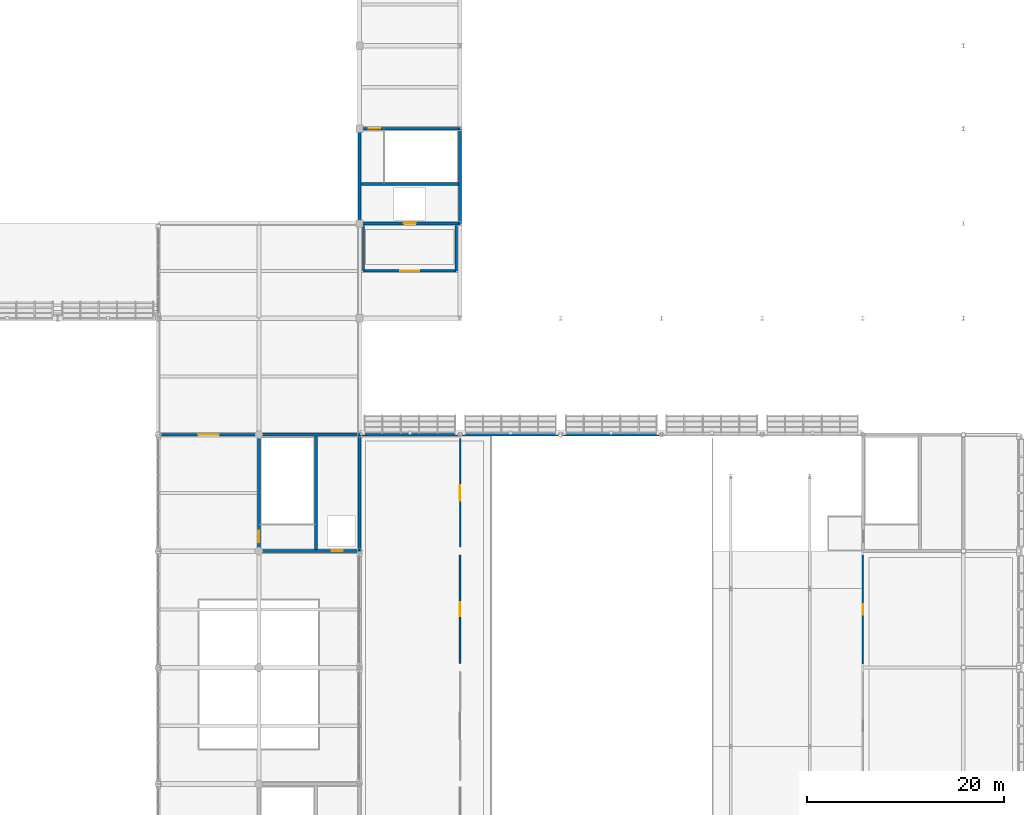
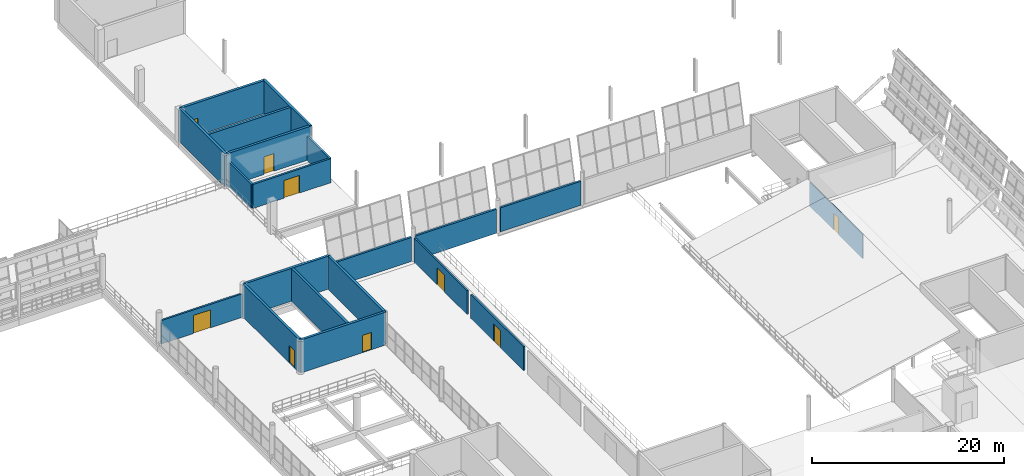
# One storey, part 131 of 157: 20 walls, 9 doors, 9 openings.
"""IFC4 building model written with IfcOpenShell, lengths in metres."""

import ifcopenshell
import ifcopenshell.guid

model = None  # the IFC model being written
_history = None  # IfcOwnerHistory: only IFC2X3 demands one
_inside = {}  # id of a spatial element -> (the spatial element, [elements in it])
_under = {}  # id of a project, library or spatial element -> (it, [spatial elements below it])
_declared = {}  # id of a project -> (the project, [libraries it declares])
_typed = {}  # id of a type object -> (the type object, [elements of that type])
_made_of = {}  # id of a material, layer set ... -> (it, [elements and type objects made of it])


def new_model(schema):
    """Start an empty IFC model of exactly this schema.

    Asked for "IFC4X3", IfcOpenShell would pick the latest addendum, in which some entities
    have other attributes; the version numbers below select the first issue.
    IFC2X3 requires an IfcOwnerHistory on every rooted entity: one is made here for all.
    """
    global model, _history
    if schema == "IFC4X3":
        model = ifcopenshell.file(schema_version=(4, 3, 0, 0))
    else:
        model = ifcopenshell.file(schema=schema)
    _inside.clear()
    _under.clear()
    _declared.clear()
    _typed.clear()
    _made_of.clear()
    _history = None
    if model.schema == "IFC2X3":
        org = make("IfcOrganization", Name="unknown")
        user = make(
            "IfcPersonAndOrganization",
            ThePerson=make("IfcPerson", FamilyName="unknown"),
            TheOrganization=org,
        )
        app = make(
            "IfcApplication",
            ApplicationDeveloper=org,
            Version="unknown",
            ApplicationFullName="unknown",
            ApplicationIdentifier="unknown",
        )
        _history = make(
            "IfcOwnerHistory",
            OwningUser=user,
            OwningApplication=app,
            ChangeAction="ADDED",
            CreationDate=0,
        )
    return model


def make(cls, **values):
    """One entity of the class cls with the attributes given. An attribute that is None is left unset."""
    return model.create_entity(
        cls, **{name: value for name, value in values.items() if value is not None}
    )


def rooted(cls, **values):
    """An entity with a GlobalId (a new one), such as an element, a storey or a relation."""
    return make(cls, GlobalId=ifcopenshell.guid.new(), OwnerHistory=_history, **values)


def si_unit(unit_type, name, prefix=None):
    """IfcSIUnit, for example si_unit("LENGTHUNIT", "METRE", prefix="MILLI")."""
    return make("IfcSIUnit", UnitType=unit_type, Prefix=prefix, Name=name)


def assignment(units):
    """IfcUnitAssignment: the units of a project."""
    return None if units is None else make("IfcUnitAssignment", Units=units)


def point(xyz):
    """IfcCartesianPoint."""
    return None if xyz is None else make("IfcCartesianPoint", Coordinates=xyz)


def direction(xyz):
    """IfcDirection."""
    return None if xyz is None else make("IfcDirection", DirectionRatios=xyz)


def frame(location, z_axis=None, x_axis=None):
    """IfcAxis2Placement3D, a coordinate frame: its origin and axes. An axis left out is left unset."""
    return make(
        "IfcAxis2Placement3D",
        Location=point(location),
        Axis=direction(z_axis),
        RefDirection=direction(x_axis),
    )


def frame_2d(location, x_axis=None):
    """IfcAxis2Placement2D, a coordinate frame in the plane: its origin and x axis."""
    return make(
        "IfcAxis2Placement2D", Location=point(location), RefDirection=direction(x_axis)
    )


def origin():
    """The frame at (0, 0, 0) with its axes left unset."""
    return frame((0.0, 0.0, 0.0))


def place(relative_to, where):
    """IfcLocalPlacement: puts the frame where relative to a parent placement (None: the world)."""
    return make(
        "IfcLocalPlacement", PlacementRelTo=relative_to, RelativePlacement=where
    )


def context(
    kind, dimensions, precision=None, world=None, true_north=None, identifier=None
):
    """IfcGeometricRepresentationContext, for example the 3D "Model" context."""
    return make(
        "IfcGeometricRepresentationContext",
        ContextIdentifier=identifier,
        ContextType=kind,
        CoordinateSpaceDimension=dimensions,
        Precision=precision,
        WorldCoordinateSystem=world,
        TrueNorth=true_north,
    )


def subcontext(parent, identifier, kind, view, scale=None):
    """IfcGeometricRepresentationSubContext, for example "Body" below "Model"."""
    return make(
        "IfcGeometricRepresentationSubContext",
        ContextIdentifier=identifier,
        ContextType=kind,
        ParentContext=parent,
        TargetScale=scale,
        TargetView=view,
    )


def project(units=None, contexts=None):
    """IfcProject with its units and contexts."""
    return rooted(
        "IfcProject",
        Name="project",
        RepresentationContexts=contexts,
        UnitsInContext=assignment(units),
    )


def spatial(cls, under=None, at=None, **own):
    """A site, building, storey or space (cls), placed at a placement, below another one or the project."""
    s = rooted(cls, ObjectPlacement=at, **own)
    if under is not None:
        _under.setdefault(under.id(), (under, []))[1].append(s)
    return s


def profile(cls, at=None, kind="AREA", **sizes):
    """A parametric profile (cls). Its sizes go by their IFC names, for example OverallWidth=200.0."""
    return make(cls, ProfileType=kind, Position=at, **sizes)


def rectangle(**sizes):
    """IfcRectangleProfileDef."""
    return profile("IfcRectangleProfileDef", **sizes)


def extrude(swept, where, along, depth):
    """IfcExtrudedAreaSolid: the profile swept, set in the frame where, extruded along a direction by depth."""
    return make(
        "IfcExtrudedAreaSolid",
        SweptArea=swept,
        Position=where,
        ExtrudedDirection=direction(along),
        Depth=depth,
    )


def shape(context_of_items, identifier, shape_type, items):
    """IfcShapeRepresentation: the items that make up one representation, for example the "Body"."""
    return make(
        "IfcShapeRepresentation",
        ContextOfItems=context_of_items,
        RepresentationIdentifier=identifier,
        RepresentationType=shape_type,
        Items=items,
    )


def material(Name=None, Category=None):
    """IfcMaterial."""
    return make("IfcMaterial", Name=Name, Category=Category)


def layer(
    of_material, thickness, ventilated=None, Name=None, Category=None, Priority=None
):
    """IfcMaterialLayer: one layer of a wall or slab, of a material (None: an air gap)."""
    return make(
        "IfcMaterialLayer",
        Material=of_material,
        LayerThickness=thickness,
        IsVentilated=ventilated,
        Name=Name,
        Category=Category,
        Priority=Priority,
    )


def layer_set(layers, Name=None):
    """IfcMaterialLayerSet."""
    return make("IfcMaterialLayerSet", MaterialLayers=layers, LayerSetName=Name)


def made_of(thing, what):
    """Note that an element or type object is made of a material, layer set ...; save() writes the relation."""
    if what is not None:
        _made_of.setdefault(what.id(), (what, []))[1].append(thing)
    return thing


def type_object(cls, material=None, **own):
    """A type object (cls), such as IfcWallType, which elements share."""
    return made_of(rooted(cls, **own), material)


def element(
    cls,
    number,
    at=None,
    inside=None,
    cuts=None,
    type_object=None,
    material=None,
    context=None,
    identifier="Body",
    shape_type=None,
    held_by="IfcProductDefinitionShape",
    body=None,
    shapes=None,
    **own,
):
    """One element of the class cls, such as IfcWall. Its Tag is "e" and its number.

    at: its placement. inside: the storey or other place that contains it. cuts: it is an
    opening in that element (IfcRelVoidsElement). A single representation is given by context,
    identifier, shape_type and body (its items); several are given by shapes. held_by: the class
    of the entity that holds the representations. save() writes the other relations.
    """
    e = rooted(cls, Tag="e%d" % number, ObjectPlacement=at, **own)
    if body is not None:
        shapes = [shape(context, identifier, shape_type, body)]
    if shapes is not None:
        e.Representation = make(held_by, Representations=shapes)
    if inside is not None:
        _inside.setdefault(inside.id(), (inside, []))[1].append(e)
    if cuts is not None:
        rooted(
            "IfcRelVoidsElement", RelatingBuildingElement=cuts, RelatedOpeningElement=e
        )
    if type_object is not None:
        _typed.setdefault(type_object.id(), (type_object, []))[1].append(e)
    return made_of(e, material)


def fill(opening, filler):
    """IfcRelFillsElement: the door or window that sits in an opening."""
    return rooted(
        "IfcRelFillsElement",
        RelatingOpeningElement=opening,
        RelatedBuildingElement=filler,
    )


def aggregate(whole, parts):
    """IfcRelAggregates: a whole, such as a stair, and the parts it consists of."""
    return rooted("IfcRelAggregates", RelatingObject=whole, RelatedObjects=parts)


def save(model, path):
    """Write the relations noted so far, then the file.

    IfcRelAggregates (storeys below a building ...), IfcRelContainedInSpatialStructure (elements
    in a storey), IfcRelDefinesByType, IfcRelAssociatesMaterial and IfcRelDeclares: one each for
    every whole, place, type object, material and project.
    """
    for whole, parts in _under.values():
        aggregate(whole, parts)
    for where, things in _inside.values():
        rooted(
            "IfcRelContainedInSpatialStructure",
            RelatedElements=things,
            RelatingStructure=where,
        )
    for kind, things in _typed.values():
        rooted("IfcRelDefinesByType", RelatedObjects=things, RelatingType=kind)
    for what, things in _made_of.values():
        rooted("IfcRelAssociatesMaterial", RelatedObjects=things, RelatingMaterial=what)
    for by, libraries in _declared.values():
        rooted("IfcRelDeclares", RelatingContext=by, RelatedDefinitions=libraries)
    model.write(path)


model = new_model("IFC4")

# Units and contexts
model_context = context("Model", 3, precision=1e-05, world=origin(), true_north=direction((0.0, 1.0)))
body_context = subcontext(model_context, "Body", "Model", "MODEL_VIEW")
ifc_project = project(units=[si_unit("LENGTHUNIT", "METRE"), si_unit("AREAUNIT", "SQUARE_METRE"), si_unit("VOLUMEUNIT", "CUBIC_METRE"), si_unit("PLANEANGLEUNIT", "RADIAN"), si_unit("MASSUNIT", "GRAM", prefix="KILO")], contexts=[model_context])

# Site, building, storey
site_placement = place(None, origin())
site = spatial("IfcSite", under=ifc_project, at=site_placement, CompositionType="ELEMENT")
building_placement = place(site_placement, origin())
building = spatial("IfcBuilding", under=site, at=building_placement, Name="Brelvane Convention Centre", CompositionType="ELEMENT")
storey_placement = place(building_placement, frame((0.0, 0.0, 10.800048828125)))
storey = spatial("IfcBuildingStorey", under=building, at=storey_placement, Name="L02", CompositionType="ELEMENT", Elevation=10.800048828125)

# Wall, opening, door
ifc_material_1 = material(Name="Insulated Autoclaved Aerated Concrete Block Grade 1", Category="concrete")
ifc_layer_1 = layer(ifc_material_1, 0.219970703125)
ifc_layer_set_1 = layer_set([ifc_layer_1], Name="Insulated Autoclaved Aerated Concrete Block Grade 1")
wall_type_1 = type_object("IfcWallType", Name="Exterior Wall EW-04", PredefinedType="STANDARD", material=ifc_layer_set_1)
wall_1_placement = place(storey_placement, frame((143.0400390625, 87.800048828125, 0.0), z_axis=(0.0, 0.0, 1.0), x_axis=(1.0, 0.0, 0.0)))
wall_1 = element("IfcWall", 1, at=wall_1_placement, inside=storey, type_object=wall_type_1, Name="Exterior Wall L02 V3-RG-L02", PredefinedType="STANDARD", context=body_context, shape_type="SweptSolid", body=[
    extrude(rectangle(XDim=9.719970703125, YDim=0.219970703125, at=frame_2d((4.85986328125, 0.0))), origin(), (0.0, 0.0, 1.0), 3.0),
])
opening_1_placement = place(wall_1_placement, frame((3.81005859375, 0.0, 0.0)))
opening_1 = element("IfcOpeningElement", 2, at=opening_1_placement, cuts=wall_1, Name="Opening DR-TR-01", PredefinedType="OPENING", context=body_context, shape_type="SweptSolid", body=[
    extrude(rectangle(XDim=2.10009765625, YDim=2.300048828125, at=frame_2d((1.050048828125, 1.14990234375))), frame((0.0, 0.119873046875, 0.0), z_axis=(0.0, -1.0, 0.0), x_axis=(1.0, 0.0, 0.0)), (0.0, 0.0, 1.0), 0.239990234375),
])
ifc_material_2 = material(Name="Anodised Aluminium Alloy 6063-T6", Category="aluminium")
door_type_1 = type_object("IfcDoorType", Name="Exterior Door DR-TR-01", OperationType="NOTDEFINED", PredefinedType="DOOR", material=ifc_material_2)
door_1_placement = place(opening_1_placement, origin())
door_1 = element("IfcDoor", 3, at=door_1_placement, inside=storey, type_object=door_type_1, Name="Terrace Exit Door RG-BALL-1 (DR-TR-01)", OperationType="DOUBLE_DOOR_SINGLE_SWING", OverallHeight=2.300048828125, OverallWidth=2.10009765625, PredefinedType="DOOR", context=body_context, shape_type="SweptSolid", body=[
    extrude(rectangle(XDim=2.10009765625, YDim=2.300048828125, at=frame_2d((1.050048828125, 1.14990234375))), frame((0.0, 0.02490234375, 0.0), z_axis=(0.0, -1.0, 0.0), x_axis=(1.0, 0.0, 0.0)), (0.0, 0.0, 1.0), 0.050048828125),
])
fill(opening_1, door_1)

# Walls
ifc_material_3 = material(Name="Concrete M40", Category="concrete")
ifc_layer_2 = layer(ifc_material_3, 0.25)
ifc_layer_set_2 = layer_set([ifc_layer_2], Name="Concrete M40")
wall_type_2 = type_object("IfcWallType", Name="Exterior Wall EW-09", PredefinedType="SOLIDWALL", material=ifc_layer_set_2)
wall_2_placement = place(storey_placement, frame((163.43994140625, 87.800048828125, 0.0), z_axis=(0.0, 0.0, 1.0), x_axis=(1.0, 0.0, 0.0)))
element("IfcWall", 4, at=wall_2_placement, inside=storey, type_object=wall_type_2, Name="Exterior Wall L02 V2N-L02-1", PredefinedType="SOLIDWALL", context=body_context, shape_type="SweptSolid", body=[
    extrude(rectangle(XDim=9.719970703125, YDim=0.25, at=frame_2d((4.85986328125, 0.0))), origin(), (0.0, 0.0, 1.0), 3.06005859375),
])
wall_3_placement = place(storey_placement, frame((173.639892578125, 87.800048828125, 0.0), z_axis=(0.0, 0.0, 1.0), x_axis=(1.0, 0.0, 0.0)))
element("IfcWall", 5, at=wall_3_placement, inside=storey, type_object=wall_type_2, Name="Exterior Wall L02 V2N-L02-2", PredefinedType="SOLIDWALL", context=body_context, shape_type="SweptSolid", body=[
    extrude(rectangle(XDim=9.72021484375, YDim=0.25, at=frame_2d((4.860107421875, 0.0))), origin(), (0.0, 0.0, 1.0), 3.06005859375),
])
wall_4_placement = place(storey_placement, frame((183.840087890625, 87.800048828125, 0.0), z_axis=(0.0, 0.0, 1.0), x_axis=(1.0, 0.0, 0.0)))
element("IfcWall", 6, at=wall_4_placement, inside=storey, type_object=wall_type_2, Name="Exterior Wall L02 V2N-L02-3", PredefinedType="SOLIDWALL", context=body_context, shape_type="SweptSolid", body=[
    extrude(rectangle(XDim=9.719970703125, YDim=0.25, at=frame_2d((4.85986328125, 0.0))), origin(), (0.0, 0.0, 1.0), 3.06005859375),
])

# Wall, opening, door
ifc_material_4 = material(Name="Fire-Rated Acoustic Gypsum Partition Board Grade A")
ifc_layer_3 = layer(ifc_material_4, 0.18505859375)
ifc_layer_set_3 = layer_set([ifc_layer_3], Name="Fire-Rated Acoustic Gypsum Partition Board Grade A")
wall_type_3 = type_object("IfcWallType", Name="Interior Wall IW-AC-185", PredefinedType="PARTITIONING", material=ifc_layer_set_3)
wall_5_placement = place(storey_placement, frame((173.39990234375, 76.39990234375, 0.0), z_axis=(0.0, 0.0, 1.0), x_axis=(0.0, 1.0, 0.0)))
wall_5 = element("IfcWall", 7, at=wall_5_placement, inside=storey, type_object=wall_type_3, Name="Interior Partition L02-PLEN-W4", PredefinedType="PARTITIONING", context=body_context, shape_type="SweptSolid", body=[
    extrude(rectangle(XDim=11.0, YDim=0.18505859375, at=frame_2d((5.5, 0.0))), origin(), (0.0, 0.0, 1.0), 3.06005859375),
])
opening_2_placement = place(wall_5_placement, frame((4.699951171875, 0.0, 0.0)))
opening_2 = element("IfcOpeningElement", 8, at=opening_2_placement, cuts=wall_5, Name="Opening DR-FL-02", PredefinedType="OPENING", context=body_context, shape_type="SweptSolid", body=[
    extrude(rectangle(XDim=1.60009765625, YDim=2.199951171875, at=frame_2d((0.800048828125, 1.10009765625))), frame((0.0, 0.1025390625, 0.0), z_axis=(0.0, -1.0, 0.0), x_axis=(1.0, 0.0, 0.0)), (0.0, 0.0, 1.0), 0.205078125),
])
ifc_material_5 = material(Name="Galvanised Hollow-Metal Fire Door Steel E250", Category="steel")
door_type_2 = type_object("IfcDoorType", Name="Interior Door DR-FL-02", OperationType="NOTDEFINED", PredefinedType="DOOR", material=ifc_material_5)
door_2_placement = place(opening_2_placement, origin())
door_2 = element("IfcDoor", 9, at=door_2_placement, inside=storey, type_object=door_type_2, Name="Interior Door L02-PLEN-W4 (DR-FL-02)", OperationType="DOUBLE_DOOR_SINGLE_SWING", OverallHeight=2.199951171875, OverallWidth=1.60009765625, PredefinedType="DOOR", context=body_context, shape_type="SweptSolid", body=[
    extrude(rectangle(XDim=1.60009765625, YDim=2.199951171875, at=frame_2d((0.800048828125, 1.10009765625))), frame((0.0, 0.02490234375, 0.0), z_axis=(0.0, -1.0, 0.0), x_axis=(1.0, 0.0, 0.0)), (0.0, 0.0, 1.0), 0.050048828125),
])
fill(opening_2, door_2)

ifc_material_6 = material(Name="Fire-Rated Acoustic Gypsum Partition Board Grade A")
ifc_layer_4 = layer(ifc_material_6, 0.199951171875)
ifc_layer_set_4 = layer_set([ifc_layer_4], Name="Fire-Rated Acoustic Gypsum Partition Board Grade A")
wall_type_4 = type_object("IfcWallType", Name="Interior Wall IW-FR-200", PredefinedType="PARTITIONING", material=ifc_layer_set_4)
wall_6_placement = place(storey_placement, frame((173.39990234375, 64.60009765625, 0.0), z_axis=(0.0, 0.0, 1.0), x_axis=(0.0, 1.0, 0.0)))
wall_6 = element("IfcWall", 10, at=wall_6_placement, inside=storey, type_object=wall_type_4, Name="Interior Partition L02-PLEN-W3", PredefinedType="PARTITIONING", context=body_context, shape_type="SweptSolid", body=[
    extrude(rectangle(XDim=11.0, YDim=0.199951171875, at=frame_2d((5.5, 0.0))), origin(), (0.0, 0.0, 1.0), 3.06005859375),
])
opening_3_placement = place(wall_6_placement, frame((4.800048828125, 0.0, 0.0)))
opening_3 = element("IfcOpeningElement", 11, at=opening_3_placement, cuts=wall_6, Name="Opening DR-IN-10", PredefinedType="OPENING", context=body_context, shape_type="SweptSolid", body=[
    extrude(rectangle(XDim=1.39990234375, YDim=2.199951171875, at=frame_2d((0.699951171875, 1.10009765625))), frame((0.0, 0.10986328125, 0.0), z_axis=(0.0, -1.0, 0.0), x_axis=(1.0, 0.0, 0.0)), (0.0, 0.0, 1.0), 0.219970703125),
])
ifc_material_7 = material(Name="Galvanised Hollow-Metal Fire Door Steel E250", Category="steel")
door_type_3 = type_object("IfcDoorType", Name="Interior Door DR-IN-10", OperationType="NOTDEFINED", PredefinedType="DOOR", material=ifc_material_7)
door_3_placement = place(opening_3_placement, origin())
door_3 = element("IfcDoor", 12, at=door_3_placement, inside=storey, type_object=door_type_3, Name="Interior Door L02-PLEN-W3 (DR-IN-10)", OperationType="DOUBLE_DOOR_SINGLE_SWING", OverallHeight=2.199951171875, OverallWidth=1.39990234375, PredefinedType="DOOR", context=body_context, shape_type="SweptSolid", body=[
    extrude(rectangle(XDim=1.39990234375, YDim=2.199951171875, at=frame_2d((0.699951171875, 1.10009765625))), frame((0.0, 0.02490234375, 0.0), z_axis=(0.0, -1.0, 0.0), x_axis=(1.0, 0.0, 0.0)), (0.0, 0.0, 1.0), 0.050048828125),
])
fill(opening_3, door_3)

ifc_material_8 = material(Name="Concrete M40", Category="concrete")
ifc_layer_5 = layer(ifc_material_8, 0.239990234375)
ifc_layer_set_5 = layer_set([ifc_layer_5], Name="Concrete M40")
wall_type_5 = type_object("IfcWallType", Name="Interior Wall IW-FR-240", PredefinedType="PARTITIONING", material=ifc_layer_set_5)
wall_7_placement = place(storey_placement, frame((163.60009765625, 104.39990234375, 0.0), z_axis=(0.0, 0.0, 1.0), x_axis=(1.0, 0.0, 0.0)))
wall_7 = element("IfcWall", 13, at=wall_7_placement, inside=storey, type_object=wall_type_5, Name="Firefighting Lobby C5 Wall S (L02)", PredefinedType="PARTITIONING", context=body_context, shape_type="SweptSolid", body=[
    extrude(rectangle(XDim=9.39990234375, YDim=0.239990234375, at=frame_2d((4.699951171875, 0.0))), origin(), (0.0, 0.0, 1.0), 3.06005859375),
])
opening_4_placement = place(wall_7_placement, frame((3.75, 0.0, 0.0)))
opening_4 = element("IfcOpeningElement", 14, at=opening_4_placement, cuts=wall_7, Name="Opening DR-FL-01", PredefinedType="OPENING", context=body_context, shape_type="SweptSolid", body=[
    extrude(rectangle(XDim=1.89990234375, YDim=2.25, at=frame_2d((0.949951171875, 1.125))), frame((0.0, 0.1298828125, 0.0), z_axis=(0.0, -1.0, 0.0), x_axis=(1.0, 0.0, 0.0)), (0.0, 0.0, 1.0), 0.260009765625),
])
ifc_material_9 = material(Name="Galvanised Hollow-Metal Fire Door Steel E250", Category="steel")
door_type_4 = type_object("IfcDoorType", Name="Interior Door DR-FL-01", OperationType="NOTDEFINED", PredefinedType="DOOR", material=ifc_material_9)
door_4_placement = place(opening_4_placement, origin())
door_4 = element("IfcDoor", 15, at=door_4_placement, inside=storey, type_object=door_type_4, Name="Firefighting Lobby C5 Smoke Door (L02)", OperationType="DOUBLE_DOOR_SINGLE_SWING", OverallHeight=2.25, OverallWidth=1.89990234375, PredefinedType="DOOR", context=body_context, shape_type="SweptSolid", body=[
    extrude(rectangle(XDim=1.89990234375, YDim=2.25, at=frame_2d((0.949951171875, 1.125))), frame((0.0, 0.02490234375, 0.0), z_axis=(0.0, -1.0, 0.0), x_axis=(1.0, 0.0, 0.0)), (0.0, 0.0, 1.0), 0.050048828125),
])
fill(opening_4, door_4)

# Walls
for number, where, z_axis, x_axis, name in (
    (16, (163.60009765625, 104.39990234375, 0.0), (0.0, 0.0, 1.0), (0.0, 1.0, 0.0), "Firefighting Lobby C5 Wall W (L02)"),
    (17, (173.0, 104.39990234375, 0.0), (0.0, 0.0, 1.0), (0.0, 1.0, 0.0), "Firefighting Lobby C5 Wall E (L02)"),
):
    element("IfcWall", number, at=place(storey_placement, frame(where, z_axis=z_axis, x_axis=x_axis)), inside=storey, type_object=wall_type_5, Name=name, PredefinedType="PARTITIONING", context=body_context, shape_type="SweptSolid", body=[
        extrude(rectangle(XDim=4.60009765625, YDim=0.239990234375, at=frame_2d((2.300048828125, 0.0))), origin(), (0.0, 0.0, 1.0), 3.06005859375),
    ])

# Wall, opening, door
ifc_material_10 = material(Name="Fire-Rated Acoustic Gypsum Partition Board Grade A")
ifc_layer_6 = layer(ifc_material_10, 0.125)
ifc_layer_set_6 = layer_set([ifc_layer_6], Name="Fire-Rated Acoustic Gypsum Partition Board Grade A")
wall_type_6 = type_object("IfcWallType", Name="Interior Wall IW-PT-125", PredefinedType="PARTITIONING", material=ifc_layer_set_6)
wall_8_placement = place(storey_placement, frame((214.199951171875, 64.60009765625, 0.0), z_axis=(0.0, 0.0, 1.0), x_axis=(0.0, 1.0, 0.0)))
wall_8 = element("IfcWall", 18, at=wall_8_placement, inside=storey, type_object=wall_type_6, Name="Interior Partition L02-INTP2", PredefinedType="PARTITIONING", context=body_context, shape_type="SweptSolid", body=[
    extrude(rectangle(XDim=11.0, YDim=0.125, at=frame_2d((5.5, 0.0))), origin(), (0.0, 0.0, 1.0), 3.06005859375),
])
opening_5_placement = place(wall_8_placement, frame((4.97509765625, 0.0, 0.0)))
opening_5 = element("IfcOpeningElement", 19, at=opening_5_placement, cuts=wall_8, Name="Opening DR-IN-01R", PredefinedType="OPENING", context=body_context, shape_type="SweptSolid", body=[
    extrude(rectangle(XDim=1.050048828125, YDim=2.14990234375, at=frame_2d((0.52490234375, 1.074951171875))), frame((0.0, 0.072509765625, 0.0), z_axis=(0.0, -1.0, 0.0), x_axis=(1.0, 0.0, 0.0)), (0.0, 0.0, 1.0), 0.14501953125),
])
ifc_material_11 = material(Name="Solid-Core Fire-Rated Hardwood Leaf Grade 1", Category="wood")
door_type_5 = type_object("IfcDoorType", Name="Interior Door DR-IN-01R", OperationType="NOTDEFINED", PredefinedType="DOOR", material=ifc_material_11)
door_5_placement = place(opening_5_placement, origin())
door_5 = element("IfcDoor", 20, at=door_5_placement, inside=storey, type_object=door_type_5, Name="Interior Door L02-INTP2 (DR-IN-01R)", OperationType="SINGLE_SWING_RIGHT", OverallHeight=2.14990234375, OverallWidth=1.050048828125, PredefinedType="DOOR", context=body_context, shape_type="SweptSolid", body=[
    extrude(rectangle(XDim=1.050048828125, YDim=2.14990234375, at=frame_2d((0.52490234375, 1.074951171875))), frame((0.0, 0.02490234375, 0.0), z_axis=(0.0, -1.0, 0.0), x_axis=(1.0, 0.0, 0.0)), (0.0, 0.0, 1.0), 0.050048828125),
])
fill(opening_5, door_5)

ifc_material_12 = material(Name="Concrete M50", Category="concrete")
ifc_layer_7 = layer(ifc_material_12, 0.300048828125)
ifc_layer_set_7 = layer_set([ifc_layer_7], Name="Concrete M50")
wall_type_7 = type_object("IfcWallType", Name="Structural Wall WL-CORE-300", PredefinedType="SHEAR", material=ifc_layer_set_7)
wall_9_placement = place(storey_placement, frame((153.0, 76.0, 0.0), z_axis=(0.0, 0.0, 1.0), x_axis=(1.0, 0.0, 0.0)))
wall_9 = element("IfcWall", 21, at=wall_9_placement, inside=storey, type_object=wall_type_7, Name="Core C4 Shear Wall S (L02)", PredefinedType="SHEAR", context=body_context, shape_type="SweptSolid", body=[
    extrude(rectangle(XDim=10.199951171875, YDim=0.300048828125, at=frame_2d((5.10009765625, 0.0))), origin(), (0.0, 0.0, 1.0), 4.199951171875),
])
opening_6_placement = place(wall_9_placement, frame((7.39990234375, 0.0, 0.0)))
opening_6 = element("IfcOpeningElement", 22, at=opening_6_placement, cuts=wall_9, Name="Opening LD-02", PredefinedType="OPENING", context=body_context, shape_type="SweptSolid", body=[
    extrude(rectangle(XDim=1.10009765625, YDim=2.199951171875, at=frame_2d((0.550048828125, 1.10009765625))), frame((0.0, 0.159912109375, 0.0), z_axis=(0.0, -1.0, 0.0), x_axis=(1.0, 0.0, 0.0)), (0.0, 0.0, 1.0), 0.320068359375),
])
ifc_material_13 = material(Name="Galvanised Hollow-Metal Fire Door Steel E250", Category="steel")
door_type_6 = type_object("IfcDoorType", Name="Interior Door LD-02", OperationType="NOTDEFINED", PredefinedType="DOOR", material=ifc_material_13)
door_6_placement = place(opening_6_placement, origin())
door_6 = element("IfcDoor", 23, at=door_6_placement, inside=storey, type_object=door_type_6, Name="Lift LP-02 Landing Door (L02)", OperationType="SLIDING_TO_RIGHT", OverallHeight=2.199951171875, OverallWidth=1.10009765625, PredefinedType="DOOR", context=body_context, shape_type="SweptSolid", body=[
    extrude(rectangle(XDim=1.10009765625, YDim=2.199951171875, at=frame_2d((0.550048828125, 1.10009765625))), frame((0.0, 0.02490234375, 0.0), z_axis=(0.0, -1.0, 0.0), x_axis=(1.0, 0.0, 0.0)), (0.0, 0.0, 1.0), 0.050048828125),
])
fill(opening_6, door_6)

# Wall
wall_10_placement = place(storey_placement, frame((153.0, 87.800048828125, 0.0), z_axis=(0.0, 0.0, 1.0), x_axis=(1.0, 0.0, 0.0)))
element("IfcWall", 24, at=wall_10_placement, inside=storey, type_object=wall_type_7, Name="Core C4 Shear Wall N (L02)", PredefinedType="SHEAR", context=body_context, shape_type="SweptSolid", body=[
    extrude(rectangle(XDim=10.199951171875, YDim=0.300048828125, at=frame_2d((5.10009765625, 0.0))), origin(), (0.0, 0.0, 1.0), 4.199951171875),
])

# Wall, opening, door
wall_11_placement = place(storey_placement, frame((153.0, 76.0, 0.0), z_axis=(0.0, 0.0, 1.0), x_axis=(0.0, 1.0, 0.0)))
wall_11 = element("IfcWall", 25, at=wall_11_placement, inside=storey, type_object=wall_type_7, Name="Core C4 Shear Wall W (L02)", PredefinedType="SHEAR", context=body_context, shape_type="SweptSolid", body=[
    extrude(rectangle(XDim=11.800048828125, YDim=0.300048828125, at=frame_2d((5.89990234375, 0.0))), origin(), (0.0, 0.0, 1.0), 4.199951171875),
])
opening_7_placement = place(wall_11_placement, frame((0.919921875, 0.0, 0.0)))
opening_7 = element("IfcOpeningElement", 26, at=opening_7_placement, cuts=wall_11, Name="Opening DR-IN-04L", PredefinedType="OPENING", context=body_context, shape_type="SweptSolid", body=[
    extrude(rectangle(XDim=1.159912109375, YDim=2.199951171875, at=frame_2d((0.580078125, 1.10009765625))), frame((0.0, 0.159912109375, 0.0), z_axis=(0.0, -1.0, 0.0), x_axis=(1.0, 0.0, 0.0)), (0.0, 0.0, 1.0), 0.320068359375),
])
ifc_material_14 = material(Name="Galvanised Hollow-Metal Fire Door Steel E250", Category="steel")
door_type_7 = type_object("IfcDoorType", Name="Interior Door DR-IN-04L", OperationType="NOTDEFINED", PredefinedType="DOOR", material=ifc_material_14)
door_7_placement = place(opening_7_placement, origin())
door_7 = element("IfcDoor", 27, at=door_7_placement, inside=storey, type_object=door_type_7, Name="Stair ST-04 Door (L02)", OperationType="SINGLE_SWING_LEFT", OverallHeight=2.199951171875, OverallWidth=1.159912109375, PredefinedType="DOOR", context=body_context, shape_type="SweptSolid", body=[
    extrude(rectangle(XDim=1.159912109375, YDim=2.199951171875, at=frame_2d((0.580078125, 1.10009765625))), frame((0.0, 0.02490234375, 0.0), z_axis=(0.0, -1.0, 0.0), x_axis=(1.0, 0.0, 0.0)), (0.0, 0.0, 1.0), 0.050048828125),
])
fill(opening_7, door_7)

# Wall
wall_12_placement = place(storey_placement, frame((163.199951171875, 76.0, 0.0), z_axis=(0.0, 0.0, 1.0), x_axis=(0.0, 1.0, 0.0)))
element("IfcWall", 28, at=wall_12_placement, inside=storey, type_object=wall_type_7, Name="Core C4 Shear Wall E (L02)", PredefinedType="SHEAR", context=body_context, shape_type="SweptSolid", body=[
    extrude(rectangle(XDim=11.800048828125, YDim=0.300048828125, at=frame_2d((5.89990234375, 0.0))), origin(), (0.0, 0.0, 1.0), 4.199951171875),
])

# Wall, opening, door
wall_13_placement = place(storey_placement, frame((163.199951171875, 109.199951171875, 0.0), z_axis=(0.0, 0.0, 1.0), x_axis=(1.0, 0.0, 0.0)))
wall_13 = element("IfcWall", 29, at=wall_13_placement, inside=storey, type_object=wall_type_7, Name="Core C5 Shear Wall S (L02)", PredefinedType="SHEAR", context=body_context, shape_type="SweptSolid", body=[
    extrude(rectangle(XDim=10.199951171875, YDim=0.300048828125, at=frame_2d((5.10009765625, 0.0))), origin(), (0.0, 0.0, 1.0), 4.199951171875),
])
opening_8_placement = place(wall_13_placement, frame((4.5, 0.0, 0.0)))
opening_8 = element("IfcOpeningElement", 30, at=opening_8_placement, cuts=wall_13, Name="Opening LD-01", PredefinedType="OPENING", context=body_context, shape_type="SweptSolid", body=[
    extrude(rectangle(XDim=1.199951171875, YDim=2.25, at=frame_2d((0.60009765625, 1.125))), frame((0.0, 0.159912109375, 0.0), z_axis=(0.0, -1.0, 0.0), x_axis=(1.0, 0.0, 0.0)), (0.0, 0.0, 1.0), 0.320068359375),
])
ifc_material_15 = material(Name="Galvanised Hollow-Metal Fire Door Steel E250", Category="steel")
door_type_8 = type_object("IfcDoorType", Name="Interior Door LD-01", OperationType="NOTDEFINED", PredefinedType="DOOR", material=ifc_material_15)
door_8_placement = place(opening_8_placement, origin())
door_8 = element("IfcDoor", 31, at=door_8_placement, inside=storey, type_object=door_type_8, Name="Lift LF-03 Landing Door (L02)", OperationType="SLIDING_TO_LEFT", OverallHeight=2.25, OverallWidth=1.199951171875, PredefinedType="DOOR", context=body_context, shape_type="SweptSolid", body=[
    extrude(rectangle(XDim=1.199951171875, YDim=2.25, at=frame_2d((0.60009765625, 1.125))), frame((0.0, 0.02490234375, 0.0), z_axis=(0.0, -1.0, 0.0), x_axis=(1.0, 0.0, 0.0)), (0.0, 0.0, 1.0), 0.050048828125),
])
fill(opening_8, door_8)

wall_14_placement = place(storey_placement, frame((163.199951171875, 118.800048828125, 0.0), z_axis=(0.0, 0.0, 1.0), x_axis=(1.0, 0.0, 0.0)))
wall_14 = element("IfcWall", 32, at=wall_14_placement, inside=storey, type_object=wall_type_7, Name="Core C5 Shear Wall N (L02)", PredefinedType="SHEAR", context=body_context, shape_type="SweptSolid", body=[
    extrude(rectangle(XDim=10.199951171875, YDim=0.300048828125, at=frame_2d((5.10009765625, 0.0))), origin(), (0.0, 0.0, 1.0), 4.199951171875),
])
opening_9_placement = place(wall_14_placement, frame((0.919921875, 0.0, 0.0)))
opening_9 = element("IfcOpeningElement", 33, at=opening_9_placement, cuts=wall_14, Name="Opening DR-IN-04L", PredefinedType="OPENING", context=body_context, shape_type="SweptSolid", body=[
    extrude(rectangle(XDim=1.159912109375, YDim=2.199951171875, at=frame_2d((0.580078125, 1.10009765625))), frame((0.0, 0.159912109375, 0.0), z_axis=(0.0, -1.0, 0.0), x_axis=(1.0, 0.0, 0.0)), (0.0, 0.0, 1.0), 0.320068359375),
])
door_9_placement = place(opening_9_placement, origin())
door_9 = element("IfcDoor", 34, at=door_9_placement, inside=storey, type_object=door_type_7, Name="Stair ST-05 Door (L02)", OperationType="SINGLE_SWING_LEFT", OverallHeight=2.199951171875, OverallWidth=1.159912109375, PredefinedType="DOOR", context=body_context, shape_type="SweptSolid", body=[
    extrude(rectangle(XDim=1.159912109375, YDim=2.199951171875, at=frame_2d((0.580078125, 1.10009765625))), frame((0.0, 0.02490234375, 0.0), z_axis=(0.0, -1.0, 0.0), x_axis=(1.0, 0.0, 0.0)), (0.0, 0.0, 1.0), 0.050048828125),
])
fill(opening_9, door_9)

# Walls
for number, where, z_axis, x_axis, name in (
    (35, (163.199951171875, 109.199951171875, 0.0), (0.0, 0.0, 1.0), (0.0, 1.0, 0.0), "Core C5 Shear Wall W (L02)"),
    (36, (173.39990234375, 109.199951171875, 0.0), (0.0, 0.0, 1.0), (0.0, 1.0, 0.0), "Core C5 Shear Wall E (L02)"),
):
    element("IfcWall", number, at=place(storey_placement, frame(where, z_axis=z_axis, x_axis=x_axis)), inside=storey, type_object=wall_type_7, Name=name, PredefinedType="SHEAR", context=body_context, shape_type="SweptSolid", body=[
        extrude(rectangle(XDim=9.60009765625, YDim=0.300048828125, at=frame_2d((4.800048828125, 0.0))), origin(), (0.0, 0.0, 1.0), 4.199951171875),
    ])
wall_15_placement = place(storey_placement, frame((158.800048828125, 76.14990234375, 0.0), z_axis=(0.0, 0.0, 1.0), x_axis=(0.0, 1.0, 0.0)))
element("IfcWall", 37, at=wall_15_placement, inside=storey, type_object=wall_type_7, Name="Core C4 Shaft Divider Wall (L02)", PredefinedType="SHEAR", context=body_context, shape_type="SweptSolid", body=[
    extrude(rectangle(XDim=11.5, YDim=0.300048828125, at=frame_2d((5.75, 0.0))), origin(), (0.0, 0.0, 1.0), 4.199951171875),
])
wall_16_placement = place(storey_placement, frame((163.35009765625, 113.199951171875, 0.0), z_axis=(0.0, 0.0, 1.0), x_axis=(1.0, 0.0, 0.0)))
element("IfcWall", 38, at=wall_16_placement, inside=storey, type_object=wall_type_7, Name="Core C5 Shaft Divider Wall (L02)", PredefinedType="SHEAR", context=body_context, shape_type="SweptSolid", body=[
    extrude(rectangle(XDim=9.89990234375, YDim=0.300048828125, at=frame_2d((4.949951171875, 0.0))), origin(), (0.0, 0.0, 1.0), 4.199951171875),
])

save(model, "model.ifc")
